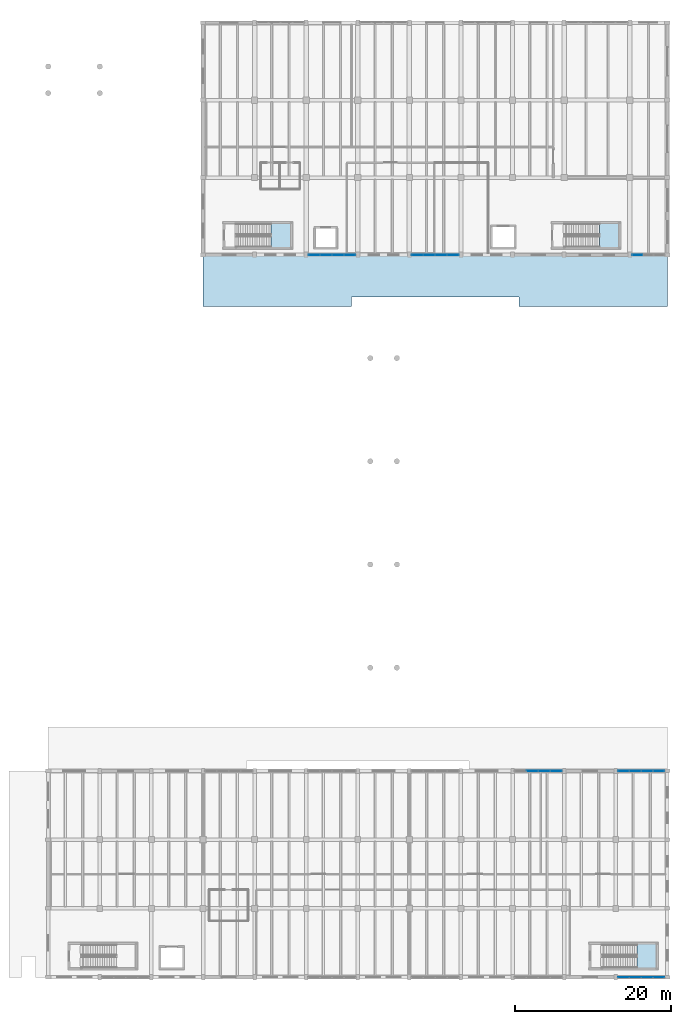
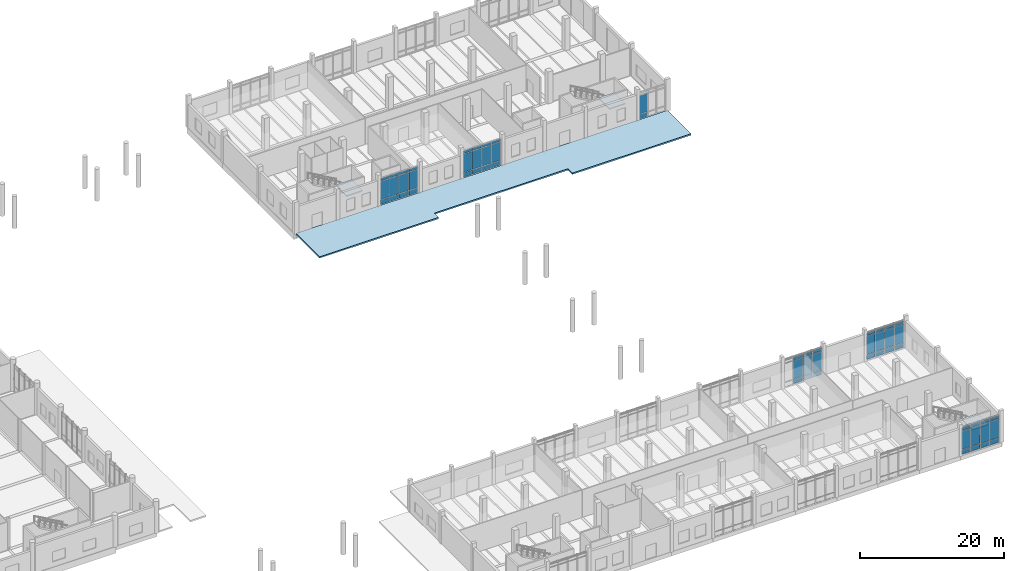
# One storey, part 37 of 72: 59 plates, 4 slabs, 9 elements without a shape of their own.
"""IFC4 building model written with IfcOpenShell, lengths in metres."""

from ifc_helpers import new_model, si_unit, direction, frame, origin, origin_2d, place, context, subcontext, project, spatial, polyline, rectangle, outline, extrude, material, layer, layer_set, type_object, element, aggregate, save


model = new_model("IFC4")

# Units and contexts
model_context = context("Model", 3, precision=1e-05, world=origin(), true_north=direction((0.0, 1.0)))
body_context = subcontext(model_context, "Body", "Model", "MODEL_VIEW")
ifc_project = project(units=[si_unit("LENGTHUNIT", "METRE"), si_unit("AREAUNIT", "SQUARE_METRE"), si_unit("VOLUMEUNIT", "CUBIC_METRE"), si_unit("PLANEANGLEUNIT", "RADIAN"), si_unit("MASSUNIT", "GRAM", prefix="KILO")], contexts=[model_context])

# Site, building, storey
site_placement = place(None, origin())
site = spatial("IfcSite", under=ifc_project, at=site_placement, CompositionType="ELEMENT")
building_placement = place(site_placement, origin())
building = spatial("IfcBuilding", under=site, at=building_placement, Name="Dornvale Research Institute", CompositionType="ELEMENT")
storey_placement = place(building_placement, origin())
storey = spatial("IfcBuildingStorey", under=building, at=storey_placement, Name="L00", CompositionType="ELEMENT", Elevation=0.0)

# Slab
ifc_material_1 = material(Name="Concrete f'c 35 MPa (C30/37)", Category="concrete")
ifc_layer_1 = layer(ifc_material_1, 0.239990234375)
ifc_layer_set_1 = layer_set([ifc_layer_1], Name="Concrete f'c 35 MPa (C30/37)")
slab_type_1 = type_object("IfcSlabType", Name="BaseSlab_Apron_240_Ext", PredefinedType="BASESLAB", material=ifc_layer_set_1)
slab_1_placement = place(storey_placement, frame((0.0, 0.0, -0.239990234375)))
element("IfcSlab", 1, at=slab_1_placement, inside=storey, type_object=slab_type_1, Name="L00 exterior colonnade and grade walk APR-ST-V4S", PredefinedType="BASESLAB", context=body_context, shape_type="SweptSolid", body=[
    extrude(outline(polyline([(118.800048828125, 85.800048828125), (137.80810546875, 85.800048828125), (137.80810546875, 87.0), (159.19189453125, 87.0), (159.19189453125, 85.800048828125), (178.199951171875, 85.800048828125), (178.199951171875, 92.35009765625), (118.800048828125, 92.35009765625), (118.800048828125, 85.800048828125)])), origin(), (0.0, 0.0, 1.0), 0.239990234375),
])

# Curtain wall, plates
ifc_material_2 = material(Name="Low-E Argon Double Insulating Glazing Unit", Category="glass")
curtain_wall_type_1 = type_object("IfcCurtainWallType", Name="UnitisedCurtainWall_V3_6150x4600", PredefinedType="USERDEFINED", material=ifc_material_2)
curtain_wall_1_placement = place(storey_placement, origin())
curtain_wall_1 = element("IfcCurtainWall", 2, at=curtain_wall_1_placement, inside=storey, type_object=curtain_wall_type_1, Name="L00 V3 unitised curtain wall CW-04 #23", ObjectType="UNITISED CURTAIN WALL", PredefinedType="USERDEFINED")
ifc_material_3 = material(Name="Insulated Ceramic-Frit Spandrel Glass Panel", Category="glass")
ifc_layer_2 = layer(ifc_material_3, 0.0419921875)
ifc_layer_set_2 = layer_set([ifc_layer_2], Name="Insulated Ceramic-Frit Spandrel Glass Panel")
plate_type_1 = type_object("IfcPlateType", Name="CurtainPanel_Spandrel_42", PredefinedType="CURTAIN_PANEL", material=ifc_layer_set_2)
plate_1_placement = place(storey_placement, frame((160.93115234375, 26.39990234375, 0.06494140625), z_axis=(0.0, 0.0, 1.0), x_axis=(1.0, 0.0, 0.0)))
plate_1 = element("IfcPlate", 3, at=plate_1_placement, type_object=plate_type_1, Name="CW-04 panel 2.1", PredefinedType="CURTAIN_PANEL", context=body_context, shape_type="SweptSolid", body=[
    extrude(rectangle(XDim=1.472412109375, YDim=0.0419921875, at=origin_2d()), origin(), (0.0, 0.0, 1.0), 0.75244140625),
])
plate_2_placement = place(storey_placement, frame((162.46875, 26.39990234375, 0.06494140625), z_axis=(0.0, 0.0, 1.0), x_axis=(1.0, 0.0, 0.0)))
plate_2 = element("IfcPlate", 4, at=plate_2_placement, type_object=plate_type_1, Name="CW-04 panel 3.1", PredefinedType="CURTAIN_PANEL", context=body_context, shape_type="SweptSolid", body=[
    extrude(rectangle(XDim=1.472412109375, YDim=0.0419921875, at=origin_2d()), origin(), (0.0, 0.0, 1.0), 0.75244140625),
])
plate_3_placement = place(storey_placement, frame((163.989990234375, 26.39990234375, 0.06494140625), z_axis=(0.0, 0.0, 1.0), x_axis=(1.0, 0.0, 0.0)))
plate_3 = element("IfcPlate", 5, at=plate_3_placement, type_object=plate_type_1, Name="CW-04 panel 4.1", PredefinedType="CURTAIN_PANEL", context=body_context, shape_type="SweptSolid", body=[
    extrude(rectangle(XDim=1.43994140625, YDim=0.0419921875, at=origin_2d()), origin(), (0.0, 0.0, 1.0), 0.75244140625),
])

ifc_material_4 = material(Name="Low-E Argon Double Insulating Glazing Unit", Category="glass")
curtain_wall_type_2 = type_object("IfcCurtainWallType", Name="UnitisedCurtainWall_V3_6050x4600", PredefinedType="USERDEFINED", material=ifc_material_4)
curtain_wall_2_placement = place(storey_placement, origin())
curtain_wall_2 = element("IfcCurtainWall", 6, at=curtain_wall_2_placement, inside=storey, type_object=curtain_wall_type_2, Name="L00 V3 unitised curtain wall CW-05 #24", ObjectType="UNITISED CURTAIN WALL", PredefinedType="USERDEFINED")
plate_4_placement = place(storey_placement, frame((172.597412109375, 26.39990234375, 0.06494140625), z_axis=(0.0, 0.0, 1.0), x_axis=(1.0, 0.0, 0.0)))
plate_4 = element("IfcPlate", 7, at=plate_4_placement, type_object=plate_type_1, Name="CW-05 panel 1.1", PredefinedType="CURTAIN_PANEL", context=body_context, shape_type="SweptSolid", body=[
    extrude(rectangle(XDim=1.4150390625, YDim=0.0419921875, at=origin_2d()), origin(), (0.0, 0.0, 1.0), 0.75244140625),
])
plate_5_placement = place(storey_placement, frame((174.09375, 26.39990234375, 0.06494140625), z_axis=(0.0, 0.0, 1.0), x_axis=(1.0, 0.0, 0.0)))
plate_5 = element("IfcPlate", 8, at=plate_5_placement, type_object=plate_type_1, Name="CW-05 panel 2.1", PredefinedType="CURTAIN_PANEL", context=body_context, shape_type="SweptSolid", body=[
    extrude(rectangle(XDim=1.447509765625, YDim=0.0419921875, at=origin_2d()), origin(), (0.0, 0.0, 1.0), 0.75244140625),
])
plate_6_placement = place(storey_placement, frame((175.606201171875, 26.39990234375, 0.06494140625), z_axis=(0.0, 0.0, 1.0), x_axis=(1.0, 0.0, 0.0)))
plate_6 = element("IfcPlate", 9, at=plate_6_placement, type_object=plate_type_1, Name="CW-05 panel 3.1", PredefinedType="CURTAIN_PANEL", context=body_context, shape_type="SweptSolid", body=[
    extrude(rectangle(XDim=1.447509765625, YDim=0.0419921875, at=origin_2d()), origin(), (0.0, 0.0, 1.0), 0.75244140625),
])
plate_7_placement = place(storey_placement, frame((177.1025390625, 26.39990234375, 0.06494140625), z_axis=(0.0, 0.0, 1.0), x_axis=(1.0, 0.0, 0.0)))
plate_7 = element("IfcPlate", 10, at=plate_7_placement, type_object=plate_type_1, Name="CW-05 panel 4.1", PredefinedType="CURTAIN_PANEL", context=body_context, shape_type="SweptSolid", body=[
    extrude(rectangle(XDim=1.4150390625, YDim=0.0419921875, at=origin_2d()), origin(), (0.0, 0.0, 1.0), 0.75244140625),
])

curtain_wall_3_placement = place(storey_placement, origin())
curtain_wall_3 = element("IfcCurtainWall", 11, at=curtain_wall_3_placement, inside=storey, type_object=curtain_wall_type_2, Name="L00 V3 unitised curtain wall CW-05 #25", ObjectType="UNITISED CURTAIN WALL", PredefinedType="USERDEFINED")
plate_8_placement = place(storey_placement, frame((177.1025390625, 0.0, 0.06494140625), z_axis=(0.0, 0.0, 1.0), x_axis=(-1.0, 0.0, 0.0)))
plate_8 = element("IfcPlate", 12, at=plate_8_placement, type_object=plate_type_1, Name="CW-05 panel 1.1", PredefinedType="CURTAIN_PANEL", context=body_context, shape_type="SweptSolid", body=[
    extrude(rectangle(XDim=1.4150390625, YDim=0.0419921875, at=origin_2d()), origin(), (0.0, 0.0, 1.0), 0.75244140625),
])
plate_9_placement = place(storey_placement, frame((175.606201171875, 0.0, 0.06494140625), z_axis=(0.0, 0.0, 1.0), x_axis=(-1.0, 0.0, 0.0)))
plate_9 = element("IfcPlate", 13, at=plate_9_placement, type_object=plate_type_1, Name="CW-05 panel 2.1", PredefinedType="CURTAIN_PANEL", context=body_context, shape_type="SweptSolid", body=[
    extrude(rectangle(XDim=1.447509765625, YDim=0.0419921875, at=origin_2d()), origin(), (0.0, 0.0, 1.0), 0.75244140625),
])
plate_10_placement = place(storey_placement, frame((174.09375, 0.0, 0.06494140625), z_axis=(0.0, 0.0, 1.0), x_axis=(-1.0, 0.0, 0.0)))
plate_10 = element("IfcPlate", 14, at=plate_10_placement, type_object=plate_type_1, Name="CW-05 panel 3.1", PredefinedType="CURTAIN_PANEL", context=body_context, shape_type="SweptSolid", body=[
    extrude(rectangle(XDim=1.447509765625, YDim=0.0419921875, at=origin_2d()), origin(), (0.0, 0.0, 1.0), 0.75244140625),
])
plate_11_placement = place(storey_placement, frame((172.597412109375, 0.0, 0.06494140625), z_axis=(0.0, 0.0, 1.0), x_axis=(-1.0, 0.0, 0.0)))
plate_11 = element("IfcPlate", 15, at=plate_11_placement, type_object=plate_type_1, Name="CW-05 panel 4.1", PredefinedType="CURTAIN_PANEL", context=body_context, shape_type="SweptSolid", body=[
    extrude(rectangle(XDim=1.4150390625, YDim=0.0419921875, at=origin_2d()), origin(), (0.0, 0.0, 1.0), 0.75244140625),
])

# Curtain wall, plate
ifc_material_5 = material(Name="Low-E Argon Double Insulating Glazing Unit", Category="glass")
curtain_wall_type_3 = type_object("IfcCurtainWallType", Name="UnitisedCurtainWall_V4_4200x4550", PredefinedType="USERDEFINED", material=ifc_material_5)
curtain_wall_4_placement = place(storey_placement, origin())
curtain_wall_4 = element("IfcCurtainWall", 16, at=curtain_wall_4_placement, inside=storey, type_object=curtain_wall_type_3, Name="L00 V4 unitised curtain wall CW-10 #70", ObjectType="UNITISED CURTAIN WALL", PredefinedType="USERDEFINED")
plate_12_placement = place(storey_placement, frame((174.3662109375, 92.39990234375, 0.06494140625), z_axis=(0.0, 0.0, 1.0), x_axis=(-1.0, 0.0, 0.0)))
plate_12 = element("IfcPlate", 17, at=plate_12_placement, type_object=plate_type_1, Name="CW-10 panel 3.1", PredefinedType="CURTAIN_PANEL", context=body_context, shape_type="SweptSolid", body=[
    extrude(rectangle(XDim=1.302490234375, YDim=0.0419921875, at=origin_2d()), origin(), (0.0, 0.0, 1.0), 0.75244140625),
])

# Curtain wall, plates
ifc_material_6 = material(Name="Low-E Argon Double Insulating Glazing Unit", Category="glass")
curtain_wall_type_4 = type_object("IfcCurtainWallType", Name="UnitisedCurtainWall_V4_6100x4550", PredefinedType="USERDEFINED", material=ifc_material_6)
curtain_wall_5_placement = place(storey_placement, origin())
curtain_wall_5 = element("IfcCurtainWall", 18, at=curtain_wall_5_placement, inside=storey, type_object=curtain_wall_type_4, Name="L00 V4 unitised curtain wall CW-08 #71", ObjectType="UNITISED CURTAIN WALL", PredefinedType="USERDEFINED")
plate_13_placement = place(storey_placement, frame((150.771240234375, 92.39990234375, 0.06494140625), z_axis=(0.0, 0.0, 1.0), x_axis=(-1.0, 0.0, 0.0)))
plate_13 = element("IfcPlate", 19, at=plate_13_placement, type_object=plate_type_1, Name="CW-08 panel 1.1", PredefinedType="CURTAIN_PANEL", context=body_context, shape_type="SweptSolid", body=[
    extrude(rectangle(XDim=1.427490234375, YDim=0.0419921875, at=origin_2d()), origin(), (0.0, 0.0, 1.0), 0.75244140625),
])
plate_14_placement = place(storey_placement, frame((149.262451171875, 92.39990234375, 0.06494140625), z_axis=(0.0, 0.0, 1.0), x_axis=(-1.0, 0.0, 0.0)))
plate_14 = element("IfcPlate", 20, at=plate_14_placement, type_object=plate_type_1, Name="CW-08 panel 2.1", PredefinedType="CURTAIN_PANEL", context=body_context, shape_type="SweptSolid", body=[
    extrude(rectangle(XDim=1.4599609375, YDim=0.0419921875, at=origin_2d()), origin(), (0.0, 0.0, 1.0), 0.75244140625),
])
plate_15_placement = place(storey_placement, frame((147.737548828125, 92.39990234375, 0.06494140625), z_axis=(0.0, 0.0, 1.0), x_axis=(-1.0, 0.0, 0.0)))
plate_15 = element("IfcPlate", 21, at=plate_15_placement, type_object=plate_type_1, Name="CW-08 panel 3.1", PredefinedType="CURTAIN_PANEL", context=body_context, shape_type="SweptSolid", body=[
    extrude(rectangle(XDim=1.4599609375, YDim=0.0419921875, at=origin_2d()), origin(), (0.0, 0.0, 1.0), 0.75244140625),
])
plate_16_placement = place(storey_placement, frame((146.228759765625, 92.39990234375, 0.06494140625), z_axis=(0.0, 0.0, 1.0), x_axis=(-1.0, 0.0, 0.0)))
plate_16 = element("IfcPlate", 22, at=plate_16_placement, type_object=plate_type_1, Name="CW-08 panel 4.1", PredefinedType="CURTAIN_PANEL", context=body_context, shape_type="SweptSolid", body=[
    extrude(rectangle(XDim=1.427490234375, YDim=0.0419921875, at=origin_2d()), origin(), (0.0, 0.0, 1.0), 0.75244140625),
])

curtain_wall_6_placement = place(storey_placement, origin())
curtain_wall_6 = element("IfcCurtainWall", 23, at=curtain_wall_6_placement, inside=storey, type_object=curtain_wall_type_4, Name="L00 V4 unitised curtain wall CW-08 #72", ObjectType="UNITISED CURTAIN WALL", PredefinedType="USERDEFINED")
plate_17_placement = place(storey_placement, frame((137.5712890625, 92.39990234375, 0.06494140625), z_axis=(0.0, 0.0, 1.0), x_axis=(-1.0, 0.0, 0.0)))
plate_17 = element("IfcPlate", 24, at=plate_17_placement, type_object=plate_type_1, Name="CW-08 panel 1.1", PredefinedType="CURTAIN_PANEL", context=body_context, shape_type="SweptSolid", body=[
    extrude(rectangle(XDim=1.427490234375, YDim=0.0419921875, at=origin_2d()), origin(), (0.0, 0.0, 1.0), 0.75244140625),
])
plate_18_placement = place(storey_placement, frame((136.0625, 92.39990234375, 0.06494140625), z_axis=(0.0, 0.0, 1.0), x_axis=(-1.0, 0.0, 0.0)))
plate_18 = element("IfcPlate", 25, at=plate_18_placement, type_object=plate_type_1, Name="CW-08 panel 2.1", PredefinedType="CURTAIN_PANEL", context=body_context, shape_type="SweptSolid", body=[
    extrude(rectangle(XDim=1.4599609375, YDim=0.0419921875, at=origin_2d()), origin(), (0.0, 0.0, 1.0), 0.75244140625),
])
plate_19_placement = place(storey_placement, frame((134.53759765625, 92.39990234375, 0.06494140625), z_axis=(0.0, 0.0, 1.0), x_axis=(-1.0, 0.0, 0.0)))
plate_19 = element("IfcPlate", 26, at=plate_19_placement, type_object=plate_type_1, Name="CW-08 panel 3.1", PredefinedType="CURTAIN_PANEL", context=body_context, shape_type="SweptSolid", body=[
    extrude(rectangle(XDim=1.4599609375, YDim=0.0419921875, at=origin_2d()), origin(), (0.0, 0.0, 1.0), 0.75244140625),
])
plate_20_placement = place(storey_placement, frame((133.02880859375, 92.39990234375, 0.06494140625), z_axis=(0.0, 0.0, 1.0), x_axis=(-1.0, 0.0, 0.0)))
plate_20 = element("IfcPlate", 27, at=plate_20_placement, type_object=plate_type_1, Name="CW-08 panel 4.1", PredefinedType="CURTAIN_PANEL", context=body_context, shape_type="SweptSolid", body=[
    extrude(rectangle(XDim=1.427490234375, YDim=0.0419921875, at=origin_2d()), origin(), (0.0, 0.0, 1.0), 0.75244140625),
])

# Plate
ifc_material_7 = material(Name="Low-E Argon Double Insulating Glazing Unit", Category="glass")
ifc_layer_3 = layer(ifc_material_7, 0.028076171875)
ifc_layer_set_3 = layer_set([ifc_layer_3], Name="Low-E Argon Double Insulating Glazing Unit")
plate_type_2 = type_object("IfcPlateType", Name="CurtainPanel_Vision_28", PredefinedType="CURTAIN_PANEL", material=ifc_layer_set_3)
plate_21_placement = place(storey_placement, frame((160.93115234375, 26.39990234375, 0.88232421875), z_axis=(0.0, 0.0, 1.0), x_axis=(1.0, 0.0, 0.0)))
plate_21 = element("IfcPlate", 28, at=plate_21_placement, type_object=plate_type_2, Name="CW-04 panel 2.2", PredefinedType="CURTAIN_PANEL", context=body_context, shape_type="SweptSolid", body=[
    extrude(rectangle(XDim=1.472412109375, YDim=0.028076171875, at=origin_2d()), origin(), (0.0, 0.0, 1.0), 3.135009765625),
])

plate_22_placement = place(storey_placement, frame((160.93115234375, 26.39990234375, 4.08251953125), z_axis=(0.0, 0.0, 1.0), x_axis=(1.0, 0.0, 0.0)))
plate_22 = element("IfcPlate", 29, at=plate_22_placement, type_object=plate_type_2, Name="CW-04 panel 2.3", PredefinedType="CURTAIN_PANEL", context=body_context, shape_type="SweptSolid", body=[
    extrude(rectangle(XDim=1.472412109375, YDim=0.028076171875, at=origin_2d()), origin(), (0.0, 0.0, 1.0), 0.452392578125),
])

plate_23_placement = place(storey_placement, frame((162.46875, 26.39990234375, 0.88232421875), z_axis=(0.0, 0.0, 1.0), x_axis=(1.0, 0.0, 0.0)))
plate_23 = element("IfcPlate", 30, at=plate_23_placement, type_object=plate_type_2, Name="CW-04 panel 3.2", PredefinedType="CURTAIN_PANEL", context=body_context, shape_type="SweptSolid", body=[
    extrude(rectangle(XDim=1.472412109375, YDim=0.028076171875, at=origin_2d()), origin(), (0.0, 0.0, 1.0), 3.135009765625),
])

plate_24_placement = place(storey_placement, frame((162.46875, 26.39990234375, 4.08251953125), z_axis=(0.0, 0.0, 1.0), x_axis=(1.0, 0.0, 0.0)))
plate_24 = element("IfcPlate", 31, at=plate_24_placement, type_object=plate_type_2, Name="CW-04 panel 3.3", PredefinedType="CURTAIN_PANEL", context=body_context, shape_type="SweptSolid", body=[
    extrude(rectangle(XDim=1.472412109375, YDim=0.028076171875, at=origin_2d()), origin(), (0.0, 0.0, 1.0), 0.452392578125),
])

plate_25_placement = place(storey_placement, frame((163.989990234375, 26.39990234375, 0.88232421875), z_axis=(0.0, 0.0, 1.0), x_axis=(1.0, 0.0, 0.0)))
plate_25 = element("IfcPlate", 32, at=plate_25_placement, type_object=plate_type_2, Name="CW-04 panel 4.2", PredefinedType="CURTAIN_PANEL", context=body_context, shape_type="SweptSolid", body=[
    extrude(rectangle(XDim=1.43994140625, YDim=0.028076171875, at=origin_2d()), origin(), (0.0, 0.0, 1.0), 3.135009765625),
])

plate_26_placement = place(storey_placement, frame((163.989990234375, 26.39990234375, 4.08251953125), z_axis=(0.0, 0.0, 1.0), x_axis=(1.0, 0.0, 0.0)))
plate_26 = element("IfcPlate", 33, at=plate_26_placement, type_object=plate_type_2, Name="CW-04 panel 4.3", PredefinedType="CURTAIN_PANEL", context=body_context, shape_type="SweptSolid", body=[
    extrude(rectangle(XDim=1.43994140625, YDim=0.028076171875, at=origin_2d()), origin(), (0.0, 0.0, 1.0), 0.452392578125),
])

aggregate(curtain_wall_1, [plate_1, plate_21, plate_22, plate_2, plate_23, plate_24, plate_3, plate_25, plate_26])

plate_27_placement = place(storey_placement, frame((172.597412109375, 26.39990234375, 0.88232421875), z_axis=(0.0, 0.0, 1.0), x_axis=(1.0, 0.0, 0.0)))
plate_27 = element("IfcPlate", 34, at=plate_27_placement, type_object=plate_type_2, Name="CW-05 panel 1.2", PredefinedType="CURTAIN_PANEL", context=body_context, shape_type="SweptSolid", body=[
    extrude(rectangle(XDim=1.4150390625, YDim=0.028076171875, at=origin_2d()), origin(), (0.0, 0.0, 1.0), 3.135009765625),
])

plate_28_placement = place(storey_placement, frame((172.597412109375, 26.39990234375, 4.08251953125), z_axis=(0.0, 0.0, 1.0), x_axis=(1.0, 0.0, 0.0)))
plate_28 = element("IfcPlate", 35, at=plate_28_placement, type_object=plate_type_2, Name="CW-05 panel 1.3", PredefinedType="CURTAIN_PANEL", context=body_context, shape_type="SweptSolid", body=[
    extrude(rectangle(XDim=1.4150390625, YDim=0.028076171875, at=origin_2d()), origin(), (0.0, 0.0, 1.0), 0.452392578125),
])

plate_29_placement = place(storey_placement, frame((174.09375, 26.39990234375, 0.88232421875), z_axis=(0.0, 0.0, 1.0), x_axis=(1.0, 0.0, 0.0)))
plate_29 = element("IfcPlate", 36, at=plate_29_placement, type_object=plate_type_2, Name="CW-05 panel 2.2", PredefinedType="CURTAIN_PANEL", context=body_context, shape_type="SweptSolid", body=[
    extrude(rectangle(XDim=1.447509765625, YDim=0.028076171875, at=origin_2d()), origin(), (0.0, 0.0, 1.0), 3.135009765625),
])

plate_30_placement = place(storey_placement, frame((174.09375, 26.39990234375, 4.08251953125), z_axis=(0.0, 0.0, 1.0), x_axis=(1.0, 0.0, 0.0)))
plate_30 = element("IfcPlate", 37, at=plate_30_placement, type_object=plate_type_2, Name="CW-05 panel 2.3", PredefinedType="CURTAIN_PANEL", context=body_context, shape_type="SweptSolid", body=[
    extrude(rectangle(XDim=1.447509765625, YDim=0.028076171875, at=origin_2d()), origin(), (0.0, 0.0, 1.0), 0.452392578125),
])

plate_31_placement = place(storey_placement, frame((175.606201171875, 26.39990234375, 0.88232421875), z_axis=(0.0, 0.0, 1.0), x_axis=(1.0, 0.0, 0.0)))
plate_31 = element("IfcPlate", 38, at=plate_31_placement, type_object=plate_type_2, Name="CW-05 panel 3.2", PredefinedType="CURTAIN_PANEL", context=body_context, shape_type="SweptSolid", body=[
    extrude(rectangle(XDim=1.447509765625, YDim=0.028076171875, at=origin_2d()), origin(), (0.0, 0.0, 1.0), 3.135009765625),
])

plate_32_placement = place(storey_placement, frame((175.606201171875, 26.39990234375, 4.08251953125), z_axis=(0.0, 0.0, 1.0), x_axis=(1.0, 0.0, 0.0)))
plate_32 = element("IfcPlate", 39, at=plate_32_placement, type_object=plate_type_2, Name="CW-05 panel 3.3", PredefinedType="CURTAIN_PANEL", context=body_context, shape_type="SweptSolid", body=[
    extrude(rectangle(XDim=1.447509765625, YDim=0.028076171875, at=origin_2d()), origin(), (0.0, 0.0, 1.0), 0.452392578125),
])

plate_33_placement = place(storey_placement, frame((177.1025390625, 26.39990234375, 0.88232421875), z_axis=(0.0, 0.0, 1.0), x_axis=(1.0, 0.0, 0.0)))
plate_33 = element("IfcPlate", 40, at=plate_33_placement, type_object=plate_type_2, Name="CW-05 panel 4.2", PredefinedType="CURTAIN_PANEL", context=body_context, shape_type="SweptSolid", body=[
    extrude(rectangle(XDim=1.4150390625, YDim=0.028076171875, at=origin_2d()), origin(), (0.0, 0.0, 1.0), 3.135009765625),
])

plate_34_placement = place(storey_placement, frame((177.1025390625, 26.39990234375, 4.08251953125), z_axis=(0.0, 0.0, 1.0), x_axis=(1.0, 0.0, 0.0)))
plate_34 = element("IfcPlate", 41, at=plate_34_placement, type_object=plate_type_2, Name="CW-05 panel 4.3", PredefinedType="CURTAIN_PANEL", context=body_context, shape_type="SweptSolid", body=[
    extrude(rectangle(XDim=1.4150390625, YDim=0.028076171875, at=origin_2d()), origin(), (0.0, 0.0, 1.0), 0.452392578125),
])

aggregate(curtain_wall_2, [plate_4, plate_27, plate_28, plate_5, plate_29, plate_30, plate_6, plate_31, plate_32, plate_7, plate_33, plate_34])

plate_35_placement = place(storey_placement, frame((177.1025390625, 0.0, 0.88232421875), z_axis=(0.0, 0.0, 1.0), x_axis=(-1.0, 0.0, 0.0)))
plate_35 = element("IfcPlate", 42, at=plate_35_placement, type_object=plate_type_2, Name="CW-05 panel 1.2", PredefinedType="CURTAIN_PANEL", context=body_context, shape_type="SweptSolid", body=[
    extrude(rectangle(XDim=1.4150390625, YDim=0.028076171875, at=origin_2d()), origin(), (0.0, 0.0, 1.0), 3.135009765625),
])

plate_36_placement = place(storey_placement, frame((177.1025390625, 0.0, 4.08251953125), z_axis=(0.0, 0.0, 1.0), x_axis=(-1.0, 0.0, 0.0)))
plate_36 = element("IfcPlate", 43, at=plate_36_placement, type_object=plate_type_2, Name="CW-05 panel 1.3", PredefinedType="CURTAIN_PANEL", context=body_context, shape_type="SweptSolid", body=[
    extrude(rectangle(XDim=1.4150390625, YDim=0.028076171875, at=origin_2d()), origin(), (0.0, 0.0, 1.0), 0.452392578125),
])

plate_37_placement = place(storey_placement, frame((175.606201171875, 0.0, 0.88232421875), z_axis=(0.0, 0.0, 1.0), x_axis=(-1.0, 0.0, 0.0)))
plate_37 = element("IfcPlate", 44, at=plate_37_placement, type_object=plate_type_2, Name="CW-05 panel 2.2", PredefinedType="CURTAIN_PANEL", context=body_context, shape_type="SweptSolid", body=[
    extrude(rectangle(XDim=1.447509765625, YDim=0.028076171875, at=origin_2d()), origin(), (0.0, 0.0, 1.0), 3.135009765625),
])

plate_38_placement = place(storey_placement, frame((175.606201171875, 0.0, 4.08251953125), z_axis=(0.0, 0.0, 1.0), x_axis=(-1.0, 0.0, 0.0)))
plate_38 = element("IfcPlate", 45, at=plate_38_placement, type_object=plate_type_2, Name="CW-05 panel 2.3", PredefinedType="CURTAIN_PANEL", context=body_context, shape_type="SweptSolid", body=[
    extrude(rectangle(XDim=1.447509765625, YDim=0.028076171875, at=origin_2d()), origin(), (0.0, 0.0, 1.0), 0.452392578125),
])

plate_39_placement = place(storey_placement, frame((174.09375, 0.0, 0.88232421875), z_axis=(0.0, 0.0, 1.0), x_axis=(-1.0, 0.0, 0.0)))
plate_39 = element("IfcPlate", 46, at=plate_39_placement, type_object=plate_type_2, Name="CW-05 panel 3.2", PredefinedType="CURTAIN_PANEL", context=body_context, shape_type="SweptSolid", body=[
    extrude(rectangle(XDim=1.447509765625, YDim=0.028076171875, at=origin_2d()), origin(), (0.0, 0.0, 1.0), 3.135009765625),
])

plate_40_placement = place(storey_placement, frame((174.09375, 0.0, 4.08251953125), z_axis=(0.0, 0.0, 1.0), x_axis=(-1.0, 0.0, 0.0)))
plate_40 = element("IfcPlate", 47, at=plate_40_placement, type_object=plate_type_2, Name="CW-05 panel 3.3", PredefinedType="CURTAIN_PANEL", context=body_context, shape_type="SweptSolid", body=[
    extrude(rectangle(XDim=1.447509765625, YDim=0.028076171875, at=origin_2d()), origin(), (0.0, 0.0, 1.0), 0.452392578125),
])

plate_41_placement = place(storey_placement, frame((172.597412109375, 0.0, 0.88232421875), z_axis=(0.0, 0.0, 1.0), x_axis=(-1.0, 0.0, 0.0)))
plate_41 = element("IfcPlate", 48, at=plate_41_placement, type_object=plate_type_2, Name="CW-05 panel 4.2", PredefinedType="CURTAIN_PANEL", context=body_context, shape_type="SweptSolid", body=[
    extrude(rectangle(XDim=1.4150390625, YDim=0.028076171875, at=origin_2d()), origin(), (0.0, 0.0, 1.0), 3.135009765625),
])

plate_42_placement = place(storey_placement, frame((172.597412109375, 0.0, 4.08251953125), z_axis=(0.0, 0.0, 1.0), x_axis=(-1.0, 0.0, 0.0)))
plate_42 = element("IfcPlate", 49, at=plate_42_placement, type_object=plate_type_2, Name="CW-05 panel 4.3", PredefinedType="CURTAIN_PANEL", context=body_context, shape_type="SweptSolid", body=[
    extrude(rectangle(XDim=1.4150390625, YDim=0.028076171875, at=origin_2d()), origin(), (0.0, 0.0, 1.0), 0.452392578125),
])

aggregate(curtain_wall_3, [plate_8, plate_35, plate_36, plate_9, plate_37, plate_38, plate_10, plate_39, plate_40, plate_11, plate_41, plate_42])

plate_43_placement = place(storey_placement, frame((174.3662109375, 92.39990234375, 0.882568359375), z_axis=(0.0, 0.0, 1.0), x_axis=(-1.0, 0.0, 0.0)))
plate_43 = element("IfcPlate", 50, at=plate_43_placement, type_object=plate_type_2, Name="CW-10 panel 3.2", PredefinedType="CURTAIN_PANEL", context=body_context, shape_type="SweptSolid", body=[
    extrude(rectangle(XDim=1.302490234375, YDim=0.028076171875, at=origin_2d()), origin(), (0.0, 0.0, 1.0), 3.0849609375),
])

aggregate(curtain_wall_4, [plate_12, plate_43])

plate_44_placement = place(storey_placement, frame((150.771240234375, 92.39990234375, 0.882568359375), z_axis=(0.0, 0.0, 1.0), x_axis=(-1.0, 0.0, 0.0)))
plate_44 = element("IfcPlate", 51, at=plate_44_placement, type_object=plate_type_2, Name="CW-08 panel 1.2", PredefinedType="CURTAIN_PANEL", context=body_context, shape_type="SweptSolid", body=[
    extrude(rectangle(XDim=1.427490234375, YDim=0.028076171875, at=origin_2d()), origin(), (0.0, 0.0, 1.0), 3.0849609375),
])

plate_45_placement = place(storey_placement, frame((150.771240234375, 92.39990234375, 4.03271484375), z_axis=(0.0, 0.0, 1.0), x_axis=(-1.0, 0.0, 0.0)))
plate_45 = element("IfcPlate", 52, at=plate_45_placement, type_object=plate_type_2, Name="CW-08 panel 1.3", PredefinedType="CURTAIN_PANEL", context=body_context, shape_type="SweptSolid", body=[
    extrude(rectangle(XDim=1.427490234375, YDim=0.028076171875, at=origin_2d()), origin(), (0.0, 0.0, 1.0), 0.452392578125),
])

plate_46_placement = place(storey_placement, frame((149.262451171875, 92.39990234375, 0.882568359375), z_axis=(0.0, 0.0, 1.0), x_axis=(-1.0, 0.0, 0.0)))
plate_46 = element("IfcPlate", 53, at=plate_46_placement, type_object=plate_type_2, Name="CW-08 panel 2.2", PredefinedType="CURTAIN_PANEL", context=body_context, shape_type="SweptSolid", body=[
    extrude(rectangle(XDim=1.4599609375, YDim=0.028076171875, at=origin_2d()), origin(), (0.0, 0.0, 1.0), 3.0849609375),
])

plate_47_placement = place(storey_placement, frame((149.262451171875, 92.39990234375, 4.03271484375), z_axis=(0.0, 0.0, 1.0), x_axis=(-1.0, 0.0, 0.0)))
plate_47 = element("IfcPlate", 54, at=plate_47_placement, type_object=plate_type_2, Name="CW-08 panel 2.3", PredefinedType="CURTAIN_PANEL", context=body_context, shape_type="SweptSolid", body=[
    extrude(rectangle(XDim=1.4599609375, YDim=0.028076171875, at=origin_2d()), origin(), (0.0, 0.0, 1.0), 0.452392578125),
])

plate_48_placement = place(storey_placement, frame((147.737548828125, 92.39990234375, 0.882568359375), z_axis=(0.0, 0.0, 1.0), x_axis=(-1.0, 0.0, 0.0)))
plate_48 = element("IfcPlate", 55, at=plate_48_placement, type_object=plate_type_2, Name="CW-08 panel 3.2", PredefinedType="CURTAIN_PANEL", context=body_context, shape_type="SweptSolid", body=[
    extrude(rectangle(XDim=1.4599609375, YDim=0.028076171875, at=origin_2d()), origin(), (0.0, 0.0, 1.0), 3.0849609375),
])

plate_49_placement = place(storey_placement, frame((147.737548828125, 92.39990234375, 4.03271484375), z_axis=(0.0, 0.0, 1.0), x_axis=(-1.0, 0.0, 0.0)))
plate_49 = element("IfcPlate", 56, at=plate_49_placement, type_object=plate_type_2, Name="CW-08 panel 3.3", PredefinedType="CURTAIN_PANEL", context=body_context, shape_type="SweptSolid", body=[
    extrude(rectangle(XDim=1.4599609375, YDim=0.028076171875, at=origin_2d()), origin(), (0.0, 0.0, 1.0), 0.452392578125),
])

plate_50_placement = place(storey_placement, frame((146.228759765625, 92.39990234375, 0.882568359375), z_axis=(0.0, 0.0, 1.0), x_axis=(-1.0, 0.0, 0.0)))
plate_50 = element("IfcPlate", 57, at=plate_50_placement, type_object=plate_type_2, Name="CW-08 panel 4.2", PredefinedType="CURTAIN_PANEL", context=body_context, shape_type="SweptSolid", body=[
    extrude(rectangle(XDim=1.427490234375, YDim=0.028076171875, at=origin_2d()), origin(), (0.0, 0.0, 1.0), 3.0849609375),
])

plate_51_placement = place(storey_placement, frame((146.228759765625, 92.39990234375, 4.03271484375), z_axis=(0.0, 0.0, 1.0), x_axis=(-1.0, 0.0, 0.0)))
plate_51 = element("IfcPlate", 58, at=plate_51_placement, type_object=plate_type_2, Name="CW-08 panel 4.3", PredefinedType="CURTAIN_PANEL", context=body_context, shape_type="SweptSolid", body=[
    extrude(rectangle(XDim=1.427490234375, YDim=0.028076171875, at=origin_2d()), origin(), (0.0, 0.0, 1.0), 0.452392578125),
])

aggregate(curtain_wall_5, [plate_13, plate_44, plate_45, plate_14, plate_46, plate_47, plate_15, plate_48, plate_49, plate_16, plate_50, plate_51])

plate_52_placement = place(storey_placement, frame((137.5712890625, 92.39990234375, 0.882568359375), z_axis=(0.0, 0.0, 1.0), x_axis=(-1.0, 0.0, 0.0)))
plate_52 = element("IfcPlate", 59, at=plate_52_placement, type_object=plate_type_2, Name="CW-08 panel 1.2", PredefinedType="CURTAIN_PANEL", context=body_context, shape_type="SweptSolid", body=[
    extrude(rectangle(XDim=1.427490234375, YDim=0.028076171875, at=origin_2d()), origin(), (0.0, 0.0, 1.0), 3.0849609375),
])

plate_53_placement = place(storey_placement, frame((137.5712890625, 92.39990234375, 4.03271484375), z_axis=(0.0, 0.0, 1.0), x_axis=(-1.0, 0.0, 0.0)))
plate_53 = element("IfcPlate", 60, at=plate_53_placement, type_object=plate_type_2, Name="CW-08 panel 1.3", PredefinedType="CURTAIN_PANEL", context=body_context, shape_type="SweptSolid", body=[
    extrude(rectangle(XDim=1.427490234375, YDim=0.028076171875, at=origin_2d()), origin(), (0.0, 0.0, 1.0), 0.452392578125),
])

plate_54_placement = place(storey_placement, frame((136.0625, 92.39990234375, 0.882568359375), z_axis=(0.0, 0.0, 1.0), x_axis=(-1.0, 0.0, 0.0)))
plate_54 = element("IfcPlate", 61, at=plate_54_placement, type_object=plate_type_2, Name="CW-08 panel 2.2", PredefinedType="CURTAIN_PANEL", context=body_context, shape_type="SweptSolid", body=[
    extrude(rectangle(XDim=1.4599609375, YDim=0.028076171875, at=origin_2d()), origin(), (0.0, 0.0, 1.0), 3.0849609375),
])

plate_55_placement = place(storey_placement, frame((136.0625, 92.39990234375, 4.03271484375), z_axis=(0.0, 0.0, 1.0), x_axis=(-1.0, 0.0, 0.0)))
plate_55 = element("IfcPlate", 62, at=plate_55_placement, type_object=plate_type_2, Name="CW-08 panel 2.3", PredefinedType="CURTAIN_PANEL", context=body_context, shape_type="SweptSolid", body=[
    extrude(rectangle(XDim=1.4599609375, YDim=0.028076171875, at=origin_2d()), origin(), (0.0, 0.0, 1.0), 0.452392578125),
])

plate_56_placement = place(storey_placement, frame((134.53759765625, 92.39990234375, 0.882568359375), z_axis=(0.0, 0.0, 1.0), x_axis=(-1.0, 0.0, 0.0)))
plate_56 = element("IfcPlate", 63, at=plate_56_placement, type_object=plate_type_2, Name="CW-08 panel 3.2", PredefinedType="CURTAIN_PANEL", context=body_context, shape_type="SweptSolid", body=[
    extrude(rectangle(XDim=1.4599609375, YDim=0.028076171875, at=origin_2d()), origin(), (0.0, 0.0, 1.0), 3.0849609375),
])

plate_57_placement = place(storey_placement, frame((134.53759765625, 92.39990234375, 4.03271484375), z_axis=(0.0, 0.0, 1.0), x_axis=(-1.0, 0.0, 0.0)))
plate_57 = element("IfcPlate", 64, at=plate_57_placement, type_object=plate_type_2, Name="CW-08 panel 3.3", PredefinedType="CURTAIN_PANEL", context=body_context, shape_type="SweptSolid", body=[
    extrude(rectangle(XDim=1.4599609375, YDim=0.028076171875, at=origin_2d()), origin(), (0.0, 0.0, 1.0), 0.452392578125),
])

plate_58_placement = place(storey_placement, frame((133.02880859375, 92.39990234375, 0.882568359375), z_axis=(0.0, 0.0, 1.0), x_axis=(-1.0, 0.0, 0.0)))
plate_58 = element("IfcPlate", 65, at=plate_58_placement, type_object=plate_type_2, Name="CW-08 panel 4.2", PredefinedType="CURTAIN_PANEL", context=body_context, shape_type="SweptSolid", body=[
    extrude(rectangle(XDim=1.427490234375, YDim=0.028076171875, at=origin_2d()), origin(), (0.0, 0.0, 1.0), 3.0849609375),
])

plate_59_placement = place(storey_placement, frame((133.02880859375, 92.39990234375, 4.03271484375), z_axis=(0.0, 0.0, 1.0), x_axis=(-1.0, 0.0, 0.0)))
plate_59 = element("IfcPlate", 66, at=plate_59_placement, type_object=plate_type_2, Name="CW-08 panel 4.3", PredefinedType="CURTAIN_PANEL", context=body_context, shape_type="SweptSolid", body=[
    extrude(rectangle(XDim=1.427490234375, YDim=0.028076171875, at=origin_2d()), origin(), (0.0, 0.0, 1.0), 0.452392578125),
])

aggregate(curtain_wall_6, [plate_17, plate_52, plate_53, plate_18, plate_54, plate_55, plate_19, plate_56, plate_57, plate_20, plate_58, plate_59])

# Stair, slab
ifc_material_8 = material(Name="Concrete f'c 45 MPa (C35/45)", Category="concrete")
stair_type = type_object("IfcStairType", Name="HalfTurnStair_RC", PredefinedType="HALF_TURN_STAIR", material=ifc_material_8)
stair_1_placement = place(storey_placement, origin())
stair_1 = element("IfcStair", 67, at=stair_1_placement, inside=storey, type_object=stair_type, Name="L00 Exit stair ST-3", PredefinedType="HALF_TURN_STAIR")
ifc_material_9 = material(Name="Concrete f'c 45 MPa (C35/45)", Category="concrete")
ifc_layer_4 = layer(ifc_material_9, 0.199951171875)
ifc_layer_set_4 = layer_set([ifc_layer_4], Name="Concrete f'c 45 MPa (C35/45)")
slab_type_2 = type_object("IfcSlabType", Name="Landing_Stair_200", PredefinedType="LANDING", material=ifc_layer_set_4)
slab_2_placement = place(storey_placement, frame((0.0, 0.0, 2.5)))
slab_2 = element("IfcSlab", 68, at=slab_2_placement, type_object=slab_type_2, Name="ST-3 landing 1", PredefinedType="LANDING", context=body_context, shape_type="SweptSolid", body=[
    extrude(outline(polyline([(127.489990234375, 93.3701171875), (127.489990234375, 96.429931640625), (130.030029296875, 96.429931640625), (130.030029296875, 93.3701171875), (127.489990234375, 93.3701171875)])), origin(), (0.0, 0.0, 1.0), 0.199951171875),
])
aggregate(stair_1, [slab_2])

stair_2_placement = place(storey_placement, origin())
stair_2 = element("IfcStair", 69, at=stair_2_placement, inside=storey, type_object=stair_type, Name="L00 Exit stair ST-4", PredefinedType="HALF_TURN_STAIR")
slab_3_placement = place(storey_placement, frame((0.0, 0.0, 2.5)))
slab_3 = element("IfcSlab", 70, at=slab_3_placement, type_object=slab_type_2, Name="ST-4 landing 1", PredefinedType="LANDING", context=body_context, shape_type="SweptSolid", body=[
    extrude(outline(polyline([(169.489990234375, 93.3701171875), (169.489990234375, 96.429931640625), (172.030029296875, 96.429931640625), (172.030029296875, 93.3701171875), (169.489990234375, 93.3701171875)])), origin(), (0.0, 0.0, 1.0), 0.199951171875),
])
aggregate(stair_2, [slab_3])

stair_3_placement = place(storey_placement, origin())
stair_3 = element("IfcStair", 71, at=stair_3_placement, inside=storey, type_object=stair_type, Name="L00 Exit stair ST-6", PredefinedType="HALF_TURN_STAIR")
slab_4_placement = place(storey_placement, frame((0.0, 0.0, 2.5)))
slab_4 = element("IfcSlab", 72, at=slab_4_placement, type_object=slab_type_2, Name="ST-6 landing 1", PredefinedType="LANDING", context=body_context, shape_type="SweptSolid", body=[
    extrude(outline(polyline([(174.2900390625, 1.169921875), (174.2900390625, 4.22998046875), (176.830078125, 4.22998046875), (176.830078125, 1.169921875), (174.2900390625, 1.169921875)])), origin(), (0.0, 0.0, 1.0), 0.199951171875),
])
aggregate(stair_3, [slab_4])

save(model, "model.ifc")
